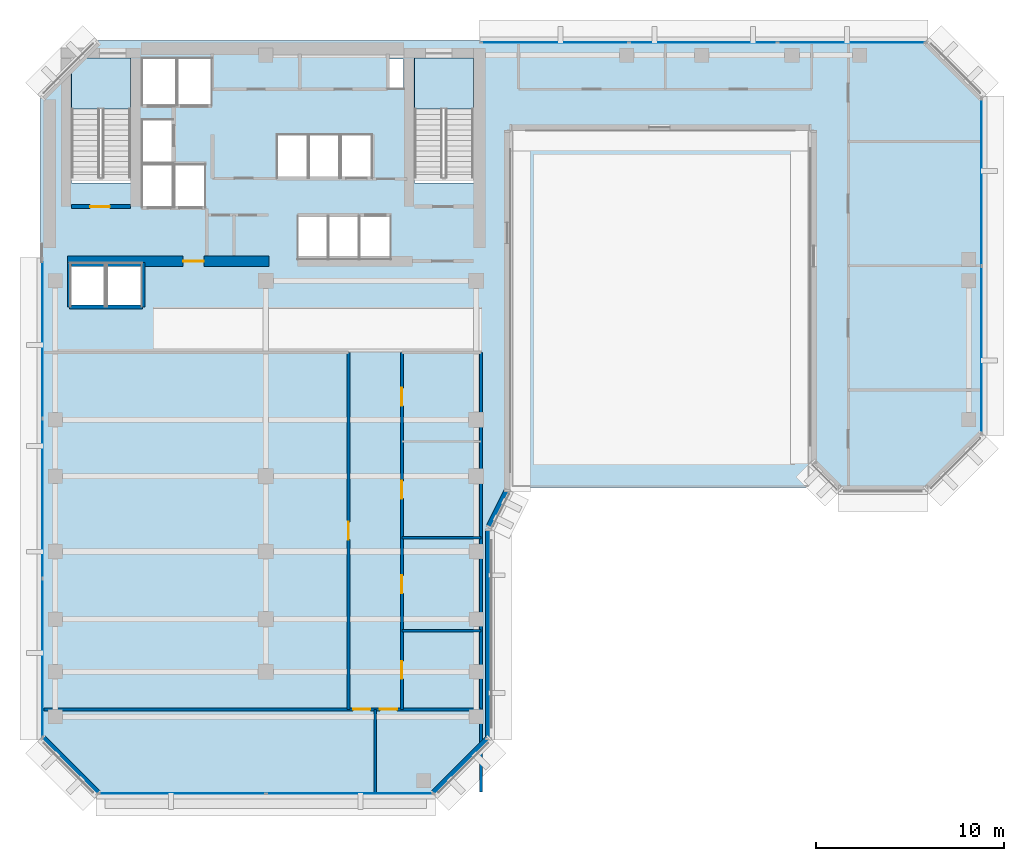
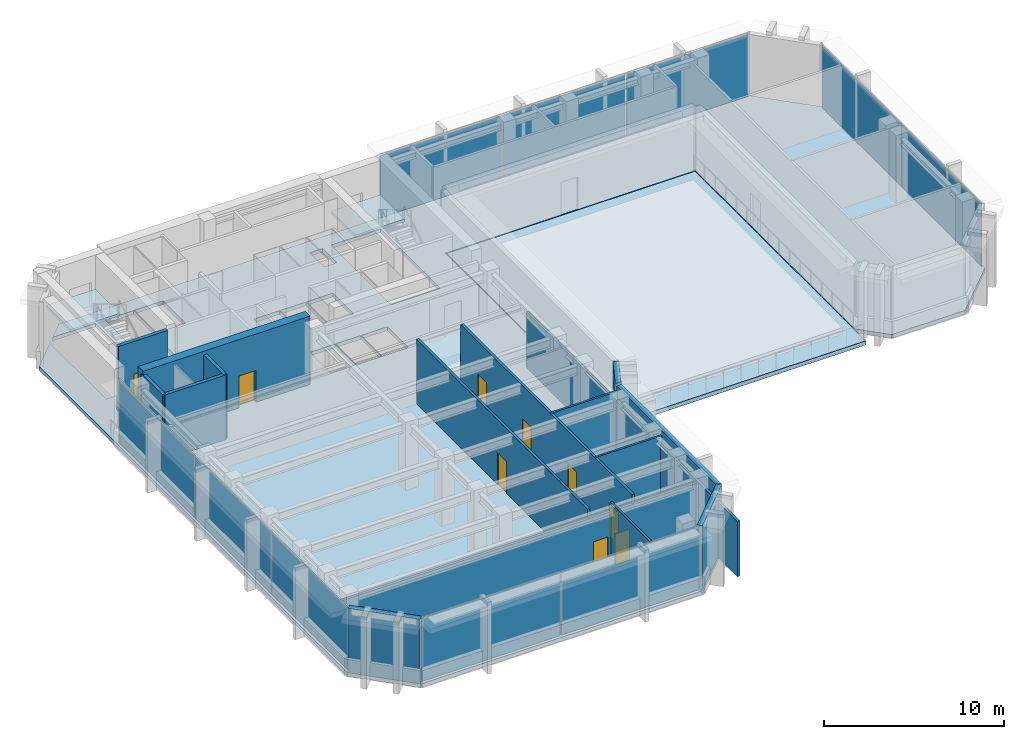
# One storey, part 6 of 12: 16 walls, 10 plates, 9 doors, 4 slabs, 9 openings, 6 elements without a shape of their own.
"""IFC4 building model written with IfcOpenShell, lengths in metres."""

from ifc_helpers import new_model, si_unit, direction, frame, frame_2d, origin, origin_2d, place, context, subcontext, project, spatial, polyline, rectangle, outline, extrude, material, layer, layer_set, type_object, element, fill, aggregate, save


model = new_model("IFC4")

# Units and contexts
model_context = context("Model", 3, precision=1e-05, world=origin(), true_north=direction((0.0, 1.0)))
body_context = subcontext(model_context, "Body", "Model", "MODEL_VIEW")
ifc_project = project(units=[si_unit("LENGTHUNIT", "METRE"), si_unit("AREAUNIT", "SQUARE_METRE"), si_unit("VOLUMEUNIT", "CUBIC_METRE"), si_unit("PLANEANGLEUNIT", "RADIAN"), si_unit("MASSUNIT", "GRAM", prefix="KILO")], contexts=[model_context])

# Site, building, storey
site_placement = place(None, origin())
site = spatial("IfcSite", under=ifc_project, at=site_placement, CompositionType="ELEMENT")
building_placement = place(site_placement, origin())
building = spatial("IfcBuilding", under=site, at=building_placement, Name="Kefirva Bronze Tower", CompositionType="ELEMENT")
storey_placement = place(building_placement, frame((0.0, 0.0, 215.159912109375)))
storey = spatial("IfcBuildingStorey", under=building, at=storey_placement, Name="L52", CompositionType="ELEMENT", Elevation=215.159912109375)

# Slab
ifc_material_1 = material(Name="Concrete C40/50", Category="concrete")
ifc_layer_1 = layer(ifc_material_1, 0.280029296875, Name="Concrete C40/50")
ifc_layer_set_1 = layer_set([ifc_layer_1], Name="Concrete C40/50")
slab_type_1 = type_object("IfcSlabType", Name="RC Setback Sky-Garden Terrace Slab 280mm", PredefinedType="ROOF", material=ifc_layer_set_1)
slab_1_placement = place(storey_placement, frame((0.0, 0.0, -0.280029296875)))
element("IfcSlab", 1, at=slab_1_placement, inside=storey, type_object=slab_type_1, Name="L52 Planted Sky-Garden Terrace Slab", PredefinedType="ROOF", context=body_context, shape_type="SweptSolid", body=[
    extrude(outline(polyline([(25.050048828125, 22.199951171875), (40.949951171875, 22.199951171875), (40.949951171875, 41.14990234375), (25.050048828125, 41.14990234375), (25.050048828125, 22.199951171875)])), origin(), (0.0, 0.0, 1.0), 0.280029296875),
])

# Stair, slab
stair_type = type_object("IfcStairType", Name="RC Dogleg Protected Stair 28R", PredefinedType="HALF_TURN_STAIR", material=ifc_material_1)
stair_1_placement = place(storey_placement, origin())
stair_1 = element("IfcStair", 2, at=stair_1_placement, inside=storey, type_object=stair_type, Name="L52 Protected Exit Stair 1", PredefinedType="HALF_TURN_STAIR")
ifc_layer_2 = layer(ifc_material_1, 0.199951171875, Name="Concrete C40/50")
ifc_layer_set_2 = layer_set([ifc_layer_2], Name="Concrete C40/50")
slab_type_2 = type_object("IfcSlabType", Name="RC Stair Landing Slab 200mm", PredefinedType="LANDING", material=ifc_layer_set_2)
slab_2_placement = place(storey_placement, frame((0.0, 0.0, 2.110107421875)))
slab_2 = element("IfcSlab", 3, at=slab_2_placement, type_object=slab_type_2, Name="ST-1 landing 1", PredefinedType="LANDING", context=body_context, shape_type="SweptSolid", body=[
    extrude(outline(polyline([(4.800048828125, 42.340087890625), (4.800048828125, 45.050048828125), (1.64990234375, 45.050048828125), (1.64990234375, 42.340087890625), (4.800048828125, 42.340087890625)])), origin(), (0.0, 0.0, 1.0), 0.199951171875),
])
aggregate(stair_1, [slab_2])

stair_2_placement = place(storey_placement, origin())
stair_2 = element("IfcStair", 4, at=stair_2_placement, inside=storey, type_object=stair_type, Name="L52 Protected Exit Stair 2", PredefinedType="HALF_TURN_STAIR")
slab_3_placement = place(storey_placement, frame((0.0, 0.0, 2.110107421875)))
slab_3 = element("IfcSlab", 5, at=slab_3_placement, type_object=slab_type_2, Name="ST-2 landing 1", PredefinedType="LANDING", context=body_context, shape_type="SweptSolid", body=[
    extrude(outline(polyline([(23.050048828125, 42.340087890625), (23.050048828125, 45.050048828125), (19.89990234375, 45.050048828125), (19.89990234375, 42.340087890625), (23.050048828125, 42.340087890625)])), origin(), (0.0, 0.0, 1.0), 0.199951171875),
])
aggregate(stair_2, [slab_3])

# Slab
ifc_layer_3 = layer(ifc_material_1, 0.25, Name="Concrete C40/50")
ifc_layer_set_3 = layer_set([ifc_layer_3], Name="Concrete C40/50")
slab_type_3 = type_object("IfcSlabType", Name="RC Tower Floor Slab 250mm", PredefinedType="FLOOR", material=ifc_layer_set_3)
slab_4_placement = place(storey_placement, frame((0.0, 0.0, -0.25)))
element("IfcSlab", 6, at=slab_4_placement, inside=storey, type_object=slab_type_3, Name="L52 Structural Floor Slab", PredefinedType="FLOOR", context=body_context, shape_type="SweptSolid", body=[
    extrude(outline(polyline([(0.0, 8.800048828125), (0.0, 43.0), (1.64990234375, 44.64990234375), (1.64990234375, 38.39990234375), (4.800048828125, 38.39990234375), (4.800048828125, 45.050048828125), (2.050048828125, 45.050048828125), (3.0, 46.0), (47.199951171875, 46.0), (50.199951171875, 43.0), (50.199951171875, 25.0), (47.199951171875, 22.0), (42.5, 22.0), (41.0, 23.5), (41.0, 41.199951171875), (25.0, 41.199951171875), (25.0, 22.0), (24.0, 20.0), (24.0, 8.800048828125), (21.0, 5.800048828125), (3.0, 5.800048828125), (0.0, 8.800048828125)]), holes=[polyline([(23.050048828125, 38.39990234375), (23.050048828125, 45.050048828125), (19.89990234375, 45.050048828125), (19.89990234375, 38.39990234375), (23.050048828125, 38.39990234375)]), polyline([(19.320068359375, 43.419921875), (19.320068359375, 45.0), (18.52001953125, 45.0), (18.52001953125, 43.419921875), (19.320068359375, 43.419921875)]), polyline([(18.64990234375, 34.35009765625), (18.64990234375, 36.64990234375), (17.0, 36.64990234375), (17.0, 34.35009765625), (18.64990234375, 34.35009765625)]), polyline([(17.64990234375, 38.679931640625), (17.64990234375, 40.97998046875), (16.0, 40.97998046875), (16.0, 38.679931640625), (17.64990234375, 38.679931640625)]), polyline([(16.949951171875, 34.35009765625), (16.949951171875, 36.64990234375), (15.35009765625, 36.64990234375), (15.35009765625, 34.35009765625), (16.949951171875, 34.35009765625)]), polyline([(15.929931640625, 38.679931640625), (15.929931640625, 40.97998046875), (14.300048828125, 40.97998046875), (14.300048828125, 38.679931640625), (15.929931640625, 38.679931640625)]), polyline([(15.300048828125, 34.35009765625), (15.300048828125, 36.64990234375), (13.699951171875, 36.64990234375), (13.699951171875, 34.35009765625), (15.300048828125, 34.35009765625)]), polyline([(14.22998046875, 38.679931640625), (14.22998046875, 40.97998046875), (12.60009765625, 40.97998046875), (12.60009765625, 38.679931640625), (14.22998046875, 38.679931640625)]), polyline([(9.1201171875, 42.550048828125), (9.1201171875, 45.050048828125), (7.300048828125, 45.050048828125), (7.300048828125, 42.550048828125), (9.1201171875, 42.550048828125)]), polyline([(8.780029296875, 37.10009765625), (8.780029296875, 39.39990234375), (7.139892578125, 39.39990234375), (7.139892578125, 37.10009765625), (8.780029296875, 37.10009765625)]), polyline([(7.239990234375, 42.550048828125), (7.239990234375, 45.050048828125), (5.419921875, 45.050048828125), (5.419921875, 42.550048828125), (7.239990234375, 42.550048828125)]), polyline([(7.06005859375, 37.10009765625), (7.06005859375, 39.39990234375), (5.419921875, 39.39990234375), (5.419921875, 37.10009765625), (7.06005859375, 37.10009765625)]), polyline([(7.06005859375, 39.47998046875), (7.06005859375, 41.780029296875), (5.419921875, 41.780029296875), (5.419921875, 39.47998046875), (7.06005859375, 39.47998046875)]), polyline([(5.39990234375, 31.85009765625), (5.39990234375, 34.14990234375), (3.550048828125, 34.14990234375), (3.550048828125, 31.85009765625), (5.39990234375, 31.85009765625)]), polyline([(3.449951171875, 31.85009765625), (3.449951171875, 34.14990234375), (1.60009765625, 34.14990234375), (1.60009765625, 31.85009765625), (3.449951171875, 31.85009765625)])]), origin(), (0.0, 0.0, 1.0), 0.25),
])

# Curtain wall, plates
ifc_material_2 = material(Name="Bronze anodised aluminium", Category="aluminium")
ifc_layer_4 = layer(ifc_material_2, 0.179931640625, Name="Bronze anodised aluminium")
ifc_layer_set_4 = layer_set([ifc_layer_4], Name="Bronze anodised aluminium")
curtain_wall_type = type_object("IfcCurtainWallType", Name="Unitised Bronze Ribbon Curtain Wall Zone 3", PredefinedType="USERDEFINED", material=ifc_layer_set_4)
curtain_wall_1_placement = place(storey_placement, origin())
curtain_wall_1 = element("IfcCurtainWall", 7, at=curtain_wall_1_placement, inside=storey, type_object=curtain_wall_type, Name="L52 Curtain Wall 1", ObjectType="UNITISED CURTAIN WALL", PredefinedType="USERDEFINED")
ifc_material_3 = material(Name="Laminated low-E double glazing", Category="glass")
ifc_layer_5 = layer(ifc_material_3, 0.031982421875, Name="Laminated low-E double glazing")
ifc_layer_set_5 = layer_set([ifc_layer_5], Name="Laminated low-E double glazing")
plate_type = type_object("IfcPlateType", Name="Solar-Control Low-E Vision Panel 32mm", PredefinedType="CURTAIN_PANEL", material=ifc_layer_set_5)
plate_1_placement = place(storey_placement, frame((7.546142578125, 5.919921875, 0.0751953125), z_axis=(0.0, 0.0, 1.0), x_axis=(1.0, 0.0, 0.0)))
plate_1 = element("IfcPlate", 8, at=plate_1_placement, type_object=plate_type, Name="CW-03 panel 1.1", PredefinedType="CURTAIN_PANEL", context=body_context, shape_type="SweptSolid", body=[
    extrude(rectangle(XDim=8.83251953125, YDim=0.031982421875, at=origin_2d()), origin(), (0.0, 0.0, 1.0), 4.219970703125),
])
plate_2_placement = place(storey_placement, frame((16.453857421875, 5.919921875, 0.0751953125), z_axis=(0.0, 0.0, 1.0), x_axis=(1.0, 0.0, 0.0)))
plate_2 = element("IfcPlate", 9, at=plate_2_placement, type_object=plate_type, Name="CW-03 panel 2.1", PredefinedType="CURTAIN_PANEL", context=body_context, shape_type="SweptSolid", body=[
    extrude(rectangle(XDim=8.83251953125, YDim=0.031982421875, at=origin_2d()), origin(), (0.0, 0.0, 1.0), 4.219970703125),
])
aggregate(curtain_wall_1, [plate_1, plate_2])

curtain_wall_2_placement = place(storey_placement, origin())
curtain_wall_2 = element("IfcCurtainWall", 10, at=curtain_wall_2_placement, inside=storey, type_object=curtain_wall_type, Name="L52 Curtain Wall 2", ObjectType="UNITISED CURTAIN WALL", PredefinedType="USERDEFINED")
plate_3_placement = place(storey_placement, frame((50.080078125, 29.546142578125, 0.0751953125), z_axis=(0.0, 0.0, 1.0), x_axis=(0.0, 1.0, 0.0)))
plate_3 = element("IfcPlate", 11, at=plate_3_placement, type_object=plate_type, Name="CW-03 panel 1.1", PredefinedType="CURTAIN_PANEL", context=body_context, shape_type="SweptSolid", body=[
    extrude(rectangle(XDim=8.83251953125, YDim=0.031982421875, at=origin_2d()), origin(), (0.0, 0.0, 1.0), 4.219970703125),
])
plate_4_placement = place(storey_placement, frame((50.080078125, 38.453857421875, 0.0751953125), z_axis=(0.0, 0.0, 1.0), x_axis=(0.0, 1.0, 0.0)))
plate_4 = element("IfcPlate", 12, at=plate_4_placement, type_object=plate_type, Name="CW-03 panel 2.1", PredefinedType="CURTAIN_PANEL", context=body_context, shape_type="SweptSolid", body=[
    extrude(rectangle(XDim=8.83251953125, YDim=0.031982421875, at=origin_2d()), origin(), (0.0, 0.0, 1.0), 4.219970703125),
])
aggregate(curtain_wall_2, [plate_3, plate_4])

curtain_wall_3_placement = place(storey_placement, origin())
curtain_wall_3 = element("IfcCurtainWall", 13, at=curtain_wall_3_placement, inside=storey, type_object=curtain_wall_type, Name="L52 Curtain Wall 3", ObjectType="UNITISED CURTAIN WALL", PredefinedType="USERDEFINED")
plate_5_placement = place(storey_placement, frame((43.169677734375, 45.8798828125, 0.0751953125), z_axis=(0.0, 0.0, 1.0), x_axis=(-1.0, 0.0, 0.0)))
plate_5 = element("IfcPlate", 14, at=plate_5_placement, type_object=plate_type, Name="CW-03 panel 1.1", PredefinedType="CURTAIN_PANEL", context=body_context, shape_type="SweptSolid", body=[
    extrude(rectangle(XDim=7.80078125, YDim=0.031982421875, at=origin_2d()), origin(), (0.0, 0.0, 1.0), 4.219970703125),
])
plate_6_placement = place(storey_placement, frame((35.27490234375, 45.8798828125, 0.0751953125), z_axis=(0.0, 0.0, 1.0), x_axis=(-1.0, 0.0, 0.0)))
plate_6 = element("IfcPlate", 15, at=plate_6_placement, type_object=plate_type, Name="CW-03 panel 2.1", PredefinedType="CURTAIN_PANEL", context=body_context, shape_type="SweptSolid", body=[
    extrude(rectangle(XDim=7.83837890625, YDim=0.031982421875, at=origin_2d()), origin(), (0.0, 0.0, 1.0), 4.219970703125),
])
plate_7_placement = place(storey_placement, frame((27.38037109375, 45.8798828125, 0.0751953125), z_axis=(0.0, 0.0, 1.0), x_axis=(-1.0, 0.0, 0.0)))
plate_7 = element("IfcPlate", 16, at=plate_7_placement, type_object=plate_type, Name="CW-03 panel 3.1", PredefinedType="CURTAIN_PANEL", context=body_context, shape_type="SweptSolid", body=[
    extrude(rectangle(XDim=7.80078125, YDim=0.031982421875, at=origin_2d()), origin(), (0.0, 0.0, 1.0), 4.219970703125),
])
aggregate(curtain_wall_3, [plate_5, plate_6, plate_7])

curtain_wall_4_placement = place(storey_placement, origin())
curtain_wall_4 = element("IfcCurtainWall", 17, at=curtain_wall_4_placement, inside=storey, type_object=curtain_wall_type, Name="L52 Curtain Wall 4", ObjectType="UNITISED CURTAIN WALL", PredefinedType="USERDEFINED")
plate_8_placement = place(storey_placement, frame((0.1201171875, 30.11962890625, 0.0751953125), z_axis=(0.0, 0.0, 1.0), x_axis=(0.0, -1.0, 0.0)))
plate_8 = element("IfcPlate", 18, at=plate_8_placement, type_object=plate_type, Name="CW-03 panel 1.1", PredefinedType="CURTAIN_PANEL", context=body_context, shape_type="SweptSolid", body=[
    extrude(rectangle(XDim=8.40087890625, YDim=0.031982421875, at=origin_2d()), origin(), (0.0, 0.0, 1.0), 4.219970703125),
])
plate_9_placement = place(storey_placement, frame((0.1201171875, 21.625, 0.0751953125), z_axis=(0.0, 0.0, 1.0), x_axis=(0.0, -1.0, 0.0)))
plate_9 = element("IfcPlate", 19, at=plate_9_placement, type_object=plate_type, Name="CW-03 panel 2.1", PredefinedType="CURTAIN_PANEL", context=body_context, shape_type="SweptSolid", body=[
    extrude(rectangle(XDim=8.438232421875, YDim=0.031982421875, at=origin_2d()), origin(), (0.0, 0.0, 1.0), 4.219970703125),
])
plate_10_placement = place(storey_placement, frame((0.1201171875, 13.13037109375, 0.0751953125), z_axis=(0.0, 0.0, 1.0), x_axis=(0.0, -1.0, 0.0)))
plate_10 = element("IfcPlate", 20, at=plate_10_placement, type_object=plate_type, Name="CW-03 panel 3.1", PredefinedType="CURTAIN_PANEL", context=body_context, shape_type="SweptSolid", body=[
    extrude(rectangle(XDim=8.40087890625, YDim=0.031982421875, at=origin_2d()), origin(), (0.0, 0.0, 1.0), 4.219970703125),
])
aggregate(curtain_wall_4, [plate_8, plate_9, plate_10])

# Walls
ifc_material_4 = material(Name="Gypsum acoustic partition")
ifc_layer_6 = layer(ifc_material_4, 0.1298828125, Name="Gypsum acoustic partition")
ifc_layer_set_6 = layer_set([ifc_layer_6], Name="Gypsum acoustic partition")
wall_type_1 = type_object("IfcWallType", Name="Acoustic Office Partition 130mm", PredefinedType="PARTITIONING", material=ifc_layer_set_6)
wall_1_placement = place(storey_placement, frame((17.820068359375, 5.989990234375, 0.0), z_axis=(0.0, 0.0, 1.0), x_axis=(0.0, 1.0, 0.0)))
element("IfcWall", 21, at=wall_1_placement, inside=storey, type_object=wall_type_1, Name="L52 Partition W-L52-CAPDV", PredefinedType="PARTITIONING", context=body_context, shape_type="SweptSolid", body=[
    extrude(rectangle(XDim=4.409912109375, YDim=0.1298828125, at=frame_2d((2.205078125, 0.0))), origin(), (0.0, 0.0, 1.0), 4.3701171875),
])
for number, where, z_axis, x_axis, name in (
    (22, (19.239990234375, 14.580078125, 0.0), (0.0, 0.0, 1.0), (1.0, 0.0, 0.0), "L52 Partition W-L52-SED1"),
    (23, (19.239990234375, 19.52001953125, 0.0), (0.0, 0.0, 1.0), (1.0, 0.0, 0.0), "L52 Partition W-L52-SED2"),
):
    element("IfcWall", number, at=place(storey_placement, frame(where, z_axis=z_axis, x_axis=x_axis)), inside=storey, type_object=wall_type_1, Name=name, PredefinedType="PARTITIONING", context=body_context, shape_type="SweptSolid", body=[
        extrude(rectangle(XDim=4.2099609375, YDim=0.1298828125, at=frame_2d((2.10498046875, 0.0))), origin(), (0.0, 0.0, 1.0), 4.3701171875),
    ])

# Wall, opening, door
ifc_material_5 = material(Name="Gypsum fireboard shaftwall")
ifc_layer_7 = layer(ifc_material_5, 0.219970703125, Name="Gypsum fireboard shaftwall")
ifc_layer_set_7 = layer_set([ifc_layer_7], Name="Gypsum fireboard shaftwall")
wall_type_2 = type_object("IfcWallType", Name="Fire-Rated Shaft Enclosure Wall 220mm", PredefinedType="PARTITIONING", material=ifc_layer_set_7)
wall_2_placement = place(storey_placement, frame((1.64990234375, 37.14990234375, 0.0), z_axis=(0.0, 0.0, 1.0), x_axis=(1.0, 0.0, 0.0)))
wall_2 = element("IfcWall", 24, at=wall_2_placement, inside=storey, type_object=wall_type_2, Name="L52 Partition W-L52-ST1S", PredefinedType="PARTITIONING", context=body_context, shape_type="SweptSolid", body=[
    extrude(rectangle(XDim=3.150146484375, YDim=0.219970703125, at=frame_2d((1.5751953125, 0.0))), origin(), (0.0, 0.0, 1.0), 4.3701171875),
])
opening_1_placement = place(wall_2_placement, frame((2.050048828125, 0.0, 0.0), z_axis=(0.0, 0.0, 1.0), x_axis=(-1.0, 0.0, 0.0)))
opening_1 = element("IfcOpeningElement", 25, at=opening_1_placement, cuts=wall_2, Name="Opening L52-D001", PredefinedType="OPENING", context=body_context, shape_type="SweptSolid", body=[
    extrude(rectangle(XDim=1.050048828125, YDim=2.14990234375, at=frame_2d((0.52490234375, 1.074951171875))), frame((0.0, 0.1201171875, 0.0), z_axis=(0.0, -1.0, 0.0), x_axis=(1.0, 0.0, 0.0)), (0.0, 0.0, 1.0), 0.239990234375),
])
ifc_material_6 = material(Name="Painted galvanized steel", Category="steel")
door_type_1 = type_object("IfcDoorType", Name="Fire Stair Enclosure Door 1050x2150 FD90S", OperationType="NOTDEFINED", PredefinedType="DOOR", material=ifc_material_6)
door_1_placement = place(opening_1_placement, origin())
door_1 = element("IfcDoor", 26, at=door_1_placement, inside=storey, type_object=door_type_1, Name="Door L52-D001", OperationType="SINGLE_SWING_RIGHT", OverallHeight=2.14990234375, OverallWidth=1.050048828125, PredefinedType="DOOR", context=body_context, shape_type="SweptSolid", body=[
    extrude(rectangle(XDim=1.050048828125, YDim=2.14990234375, at=frame_2d((0.52490234375, 1.074951171875))), frame((0.0, 0.02490234375, 0.0), z_axis=(0.0, -1.0, 0.0), x_axis=(1.0, 0.0, 0.0)), (0.0, 0.0, 1.0), 0.050048828125),
])
fill(opening_1, door_1)

# Walls
wall_3_placement = place(storey_placement, frame((1.550048828125, 31.800048828125, 0.0), z_axis=(0.0, 0.0, 1.0), x_axis=(1.0, 0.0, 0.0)))
element("IfcWall", 27, at=wall_3_placement, inside=storey, type_object=wall_type_2, Name="L52 Partition W-L52-OBS", PredefinedType="PARTITIONING", context=body_context, shape_type="SweptSolid", body=[
    extrude(rectangle(XDim=3.89990234375, YDim=0.219970703125, at=frame_2d((1.949951171875, 0.0))), origin(), (0.0, 0.0, 1.0), 4.3701171875),
])
for number, where, z_axis, x_axis, name in (
    (28, (1.550048828125, 31.800048828125, 0.0), (0.0, 0.0, 1.0), (0.0, 1.0, 0.0), "L52 Partition W-L52-OBW"),
    (29, (5.449951171875, 31.800048828125, 0.0), (0.0, 0.0, 1.0), (0.0, 1.0, 0.0), "L52 Partition W-L52-OBE"),
):
    element("IfcWall", number, at=place(storey_placement, frame(where, z_axis=z_axis, x_axis=x_axis)), inside=storey, type_object=wall_type_2, Name=name, PredefinedType="PARTITIONING", context=body_context, shape_type="SweptSolid", body=[
        extrude(rectangle(XDim=2.3798828125, YDim=0.219970703125, at=frame_2d((1.18994140625, 0.0))), origin(), (0.0, 0.0, 1.0), 4.3701171875),
    ])
ifc_material_7 = material(Name="Precast concrete C40/50", Category="concrete")
ifc_layer_8 = layer(ifc_material_7, 0.320068359375, Name="Precast concrete C40/50")
ifc_layer_set_8 = layer_set([ifc_layer_8], Name="Precast concrete C40/50")
wall_type_3 = type_object("IfcWallType", Name="Precast Insulated Exterior Wall 320mm", PredefinedType="SOLIDWALL", material=ifc_layer_set_8)
wall_4_placement = place(storey_placement, frame((20.92578125, 5.951904296875, 0.0), z_axis=(0.0, 0.0, 1.0), x_axis=(0.707077242712, 0.707136318428, 0.0)))
element("IfcWall", 30, at=wall_4_placement, inside=storey, type_object=wall_type_3, Name="L52 Exterior Facade Wall 1", PredefinedType="SOLIDWALL", context=body_context, shape_type="SweptSolid", body=[
    extrude(rectangle(XDim=4.132568359375, YDim=0.320068359375, at=frame_2d((2.06640625, 0.0))), origin(), (0.0, 0.0, 1.0), 4.3701171875),
])
wall_5_placement = place(storey_placement, frame((23.840087890625, 8.85498046875, 0.0), z_axis=(0.0, 0.0, 1.0), x_axis=(0.0, 1.0, 0.0)))
element("IfcWall", 31, at=wall_5_placement, inside=storey, type_object=wall_type_3, Name="L52 Exterior Facade Wall 2", PredefinedType="SOLIDWALL", context=body_context, shape_type="SweptSolid", body=[
    extrude(rectangle(XDim=11.090087890625, YDim=0.320068359375, at=frame_2d((5.544921875, 0.0))), origin(), (0.0, 0.0, 1.0), 4.3701171875),
])
wall_6_placement = place(storey_placement, frame((23.881591796875, 20.12060546875, 0.0), z_axis=(0.0, 0.0, 1.0), x_axis=(0.447121734542, 0.894473115583, 0.0)))
element("IfcWall", 32, at=wall_6_placement, inside=storey, type_object=wall_type_3, Name="L52 Exterior Facade Wall 3", PredefinedType="SOLIDWALL", context=body_context, shape_type="SweptSolid", body=[
    extrude(rectangle(XDim=2.126220703125, YDim=0.320068359375, at=frame_2d((1.06298828125, 0.0))), origin(), (0.0, 0.0, 1.0), 4.3701171875),
])
wall_7_placement = place(storey_placement, frame((0.152099609375, 8.874267578125, 0.0), z_axis=(0.0, 0.0, 1.0), x_axis=(0.707077242712, -0.707136318428, 0.0)))
element("IfcWall", 33, at=wall_7_placement, inside=storey, type_object=wall_type_3, Name="L52 Exterior Facade Wall 12", PredefinedType="SOLIDWALL", context=body_context, shape_type="SweptSolid", body=[
    extrude(rectangle(XDim=4.132568359375, YDim=0.320068359375, at=frame_2d((2.06640625, 0.0))), origin(), (0.0, 0.0, 1.0), 4.3701171875),
])

# Wall, opening, door
ifc_layer_9 = layer(ifc_material_4, 0.159912109375, Name="Gypsum acoustic partition")
ifc_layer_set_9 = layer_set([ifc_layer_9], Name="Gypsum acoustic partition")
wall_type_4 = type_object("IfcWallType", Name="Protected Corridor Partition 160mm", PredefinedType="PARTITIONING", material=ifc_layer_set_9)
wall_8_placement = place(storey_placement, frame((16.39990234375, 10.39990234375, 0.0), z_axis=(0.0, 0.0, 1.0), x_axis=(0.0, 1.0, 0.0)))
wall_8 = element("IfcWall", 34, at=wall_8_placement, inside=storey, type_object=wall_type_4, Name="L52 Partition W-L52-SWCORW", PredefinedType="PARTITIONING", context=body_context, shape_type="SweptSolid", body=[
    extrude(rectangle(XDim=19.0, YDim=0.159912109375, at=frame_2d((9.5, 0.0))), origin(), (0.0, 0.0, 1.0), 4.3701171875),
])
opening_2_placement = place(wall_8_placement, frame((9.974853515625, 0.0, 0.0), z_axis=(0.0, 0.0, 1.0), x_axis=(-1.0, 0.0, 0.0)))
opening_2 = element("IfcOpeningElement", 35, at=opening_2_placement, cuts=wall_8, Name="Opening L52-D-SW1", PredefinedType="OPENING", context=body_context, shape_type="SweptSolid", body=[
    extrude(rectangle(XDim=0.949951171875, YDim=2.14990234375, at=frame_2d((0.47509765625, 1.074951171875))), frame((0.0, 0.08984375, 0.0), z_axis=(0.0, -1.0, 0.0), x_axis=(1.0, 0.0, 0.0)), (0.0, 0.0, 1.0), 0.179931640625),
])
ifc_material_8 = material(Name="Acoustic hardwood oak", Category="wood")
door_type_2 = type_object("IfcDoorType", Name="Office & Meeting Room Door 950x2150", OperationType="NOTDEFINED", PredefinedType="DOOR", material=ifc_material_8)
door_2_placement = place(opening_2_placement, origin())
door_2 = element("IfcDoor", 36, at=door_2_placement, inside=storey, type_object=door_type_2, Name="Door L52-D-SW1", OperationType="SINGLE_SWING_RIGHT", OverallHeight=2.14990234375, OverallWidth=0.949951171875, PredefinedType="DOOR", context=body_context, shape_type="SweptSolid", body=[
    extrude(rectangle(XDim=0.949951171875, YDim=2.14990234375, at=frame_2d((0.47509765625, 1.074951171875))), frame((0.0, 0.02490234375, 0.0), z_axis=(0.0, -1.0, 0.0), x_axis=(1.0, 0.0, 0.0)), (0.0, 0.0, 1.0), 0.050048828125),
])
fill(opening_2, door_2)

# Wall, openings, doors
wall_9_placement = place(storey_placement, frame((19.239990234375, 10.39990234375, 0.0), z_axis=(0.0, 0.0, 1.0), x_axis=(0.0, 1.0, 0.0)))
wall_9 = element("IfcWall", 37, at=wall_9_placement, inside=storey, type_object=wall_type_4, Name="L52 Partition W-L52-SECORE", PredefinedType="PARTITIONING", context=body_context, shape_type="SweptSolid", body=[
    extrude(rectangle(XDim=19.0, YDim=0.159912109375, at=frame_2d((9.5, 0.0))), origin(), (0.0, 0.0, 1.0), 4.3701171875),
])
opening_3_placement = place(wall_9_placement, frame((1.614990234375, 0.0, 0.0)))
opening_3 = element("IfcOpeningElement", 38, at=opening_3_placement, cuts=wall_9, Name="Opening L52-D-SE1", PredefinedType="OPENING", context=body_context, shape_type="SweptSolid", body=[
    extrude(rectangle(XDim=0.949951171875, YDim=2.14990234375, at=frame_2d((0.47509765625, 1.074951171875))), frame((0.0, 0.08984375, 0.0), z_axis=(0.0, -1.0, 0.0), x_axis=(1.0, 0.0, 0.0)), (0.0, 0.0, 1.0), 0.179931640625),
])
opening_4_placement = place(wall_9_placement, frame((6.175048828125, 0.0, 0.0)))
opening_4 = element("IfcOpeningElement", 39, at=opening_4_placement, cuts=wall_9, Name="Opening L52-D-SE2", PredefinedType="OPENING", context=body_context, shape_type="SweptSolid", body=[
    extrude(rectangle(XDim=0.949951171875, YDim=2.14990234375, at=frame_2d((0.47509765625, 1.074951171875))), frame((0.0, 0.08984375, 0.0), z_axis=(0.0, -1.0, 0.0), x_axis=(1.0, 0.0, 0.0)), (0.0, 0.0, 1.0), 0.179931640625),
])
opening_5_placement = place(wall_9_placement, frame((11.2099609375, 0.0, 0.0)))
opening_5 = element("IfcOpeningElement", 40, at=opening_5_placement, cuts=wall_9, Name="Opening L52-D-SE3", PredefinedType="OPENING", context=body_context, shape_type="SweptSolid", body=[
    extrude(rectangle(XDim=0.949951171875, YDim=2.14990234375, at=frame_2d((0.47509765625, 1.074951171875))), frame((0.0, 0.08984375, 0.0), z_axis=(0.0, -1.0, 0.0), x_axis=(1.0, 0.0, 0.0)), (0.0, 0.0, 1.0), 0.179931640625),
])
opening_6_placement = place(wall_9_placement, frame((16.14990234375, 0.0, 0.0)))
opening_6 = element("IfcOpeningElement", 41, at=opening_6_placement, cuts=wall_9, Name="Opening L52-D-SE4", PredefinedType="OPENING", context=body_context, shape_type="SweptSolid", body=[
    extrude(rectangle(XDim=0.949951171875, YDim=2.14990234375, at=frame_2d((0.47509765625, 1.074951171875))), frame((0.0, 0.08984375, 0.0), z_axis=(0.0, -1.0, 0.0), x_axis=(1.0, 0.0, 0.0)), (0.0, 0.0, 1.0), 0.179931640625),
])
door_3_placement = place(opening_3_placement, origin())
door_3 = element("IfcDoor", 42, at=door_3_placement, inside=storey, type_object=door_type_2, Name="Door L52-D-SE1", OperationType="SINGLE_SWING_LEFT", OverallHeight=2.14990234375, OverallWidth=0.949951171875, PredefinedType="DOOR", context=body_context, shape_type="SweptSolid", body=[
    extrude(rectangle(XDim=0.949951171875, YDim=2.14990234375, at=frame_2d((0.47509765625, 1.074951171875))), frame((0.0, 0.02490234375, 0.0), z_axis=(0.0, -1.0, 0.0), x_axis=(1.0, 0.0, 0.0)), (0.0, 0.0, 1.0), 0.050048828125),
])
fill(opening_3, door_3)
door_4_placement = place(opening_4_placement, origin())
door_4 = element("IfcDoor", 43, at=door_4_placement, inside=storey, type_object=door_type_2, Name="Door L52-D-SE2", OperationType="SINGLE_SWING_RIGHT", OverallHeight=2.14990234375, OverallWidth=0.949951171875, PredefinedType="DOOR", context=body_context, shape_type="SweptSolid", body=[
    extrude(rectangle(XDim=0.949951171875, YDim=2.14990234375, at=frame_2d((0.47509765625, 1.074951171875))), frame((0.0, 0.02490234375, 0.0), z_axis=(0.0, -1.0, 0.0), x_axis=(1.0, 0.0, 0.0)), (0.0, 0.0, 1.0), 0.050048828125),
])
fill(opening_4, door_4)
door_5_placement = place(opening_5_placement, origin())
door_5 = element("IfcDoor", 44, at=door_5_placement, inside=storey, type_object=door_type_2, Name="Door L52-D-SE3", OperationType="SINGLE_SWING_LEFT", OverallHeight=2.14990234375, OverallWidth=0.949951171875, PredefinedType="DOOR", context=body_context, shape_type="SweptSolid", body=[
    extrude(rectangle(XDim=0.949951171875, YDim=2.14990234375, at=frame_2d((0.47509765625, 1.074951171875))), frame((0.0, 0.02490234375, 0.0), z_axis=(0.0, -1.0, 0.0), x_axis=(1.0, 0.0, 0.0)), (0.0, 0.0, 1.0), 0.050048828125),
])
fill(opening_5, door_5)
door_6_placement = place(opening_6_placement, origin())
door_6 = element("IfcDoor", 45, at=door_6_placement, inside=storey, type_object=door_type_2, Name="Door L52-D-SE4", OperationType="SINGLE_SWING_RIGHT", OverallHeight=2.14990234375, OverallWidth=0.949951171875, PredefinedType="DOOR", context=body_context, shape_type="SweptSolid", body=[
    extrude(rectangle(XDim=0.949951171875, YDim=2.14990234375, at=frame_2d((0.47509765625, 1.074951171875))), frame((0.0, 0.02490234375, 0.0), z_axis=(0.0, -1.0, 0.0), x_axis=(1.0, 0.0, 0.0)), (0.0, 0.0, 1.0), 0.050048828125),
])
fill(opening_6, door_6)

wall_10_placement = place(storey_placement, frame((0.18994140625, 10.39990234375, 0.0), z_axis=(0.0, 0.0, 1.0), x_axis=(1.0, 0.0, 0.0)))
wall_10 = element("IfcWall", 46, at=wall_10_placement, inside=storey, type_object=wall_type_4, Name="L52 Partition W-L52-SBEND", PredefinedType="PARTITIONING", context=body_context, shape_type="SweptSolid", body=[
    extrude(rectangle(XDim=23.260009765625, YDim=0.159912109375, at=frame_2d((11.6298828125, 0.0))), origin(), (0.0, 0.0, 1.0), 3.755126953125),
])
opening_7_placement = place(wall_10_placement, frame((16.4599609375, 0.0, 0.0)))
opening_7 = element("IfcOpeningElement", 47, at=opening_7_placement, cuts=wall_10, Name="Opening L52-D-SEND1", PredefinedType="OPENING", context=body_context, shape_type="SweptSolid", body=[
    extrude(rectangle(XDim=0.919921875, YDim=2.10009765625, at=frame_2d((0.4599609375, 1.050048828125))), frame((0.0, 0.08984375, 0.0), z_axis=(0.0, -1.0, 0.0), x_axis=(1.0, 0.0, 0.0)), (0.0, 0.0, 1.0), 0.179931640625),
])
opening_8_placement = place(wall_10_placement, frame((17.8798828125, 0.0, 0.0)))
opening_8 = element("IfcOpeningElement", 48, at=opening_8_placement, cuts=wall_10, Name="Opening L52-D-SEND2", PredefinedType="OPENING", context=body_context, shape_type="SweptSolid", body=[
    extrude(rectangle(XDim=0.919921875, YDim=2.10009765625, at=frame_2d((0.4599609375, 1.050048828125))), frame((0.0, 0.08984375, 0.0), z_axis=(0.0, -1.0, 0.0), x_axis=(1.0, 0.0, 0.0)), (0.0, 0.0, 1.0), 0.179931640625),
])
ifc_material_9 = material(Name="Moisture-resistant timber", Category="wood")
door_type_3 = type_object("IfcDoorType", Name="Accessible Sanitary & WC Door 920x2100", OperationType="NOTDEFINED", PredefinedType="DOOR", material=ifc_material_9)
door_7_placement = place(opening_7_placement, origin())
door_7 = element("IfcDoor", 49, at=door_7_placement, inside=storey, type_object=door_type_3, Name="Door L52-D-SEND1", OperationType="SINGLE_SWING_RIGHT", OverallHeight=2.10009765625, OverallWidth=0.919921875, PredefinedType="DOOR", context=body_context, shape_type="SweptSolid", body=[
    extrude(rectangle(XDim=0.919921875, YDim=2.10009765625, at=frame_2d((0.4599609375, 1.050048828125))), frame((0.0, 0.02490234375, 0.0), z_axis=(0.0, -1.0, 0.0), x_axis=(1.0, 0.0, 0.0)), (0.0, 0.0, 1.0), 0.050048828125),
])
fill(opening_7, door_7)
door_8_placement = place(opening_8_placement, origin())
door_8 = element("IfcDoor", 50, at=door_8_placement, inside=storey, type_object=door_type_3, Name="Door L52-D-SEND2", OperationType="SINGLE_SWING_LEFT", OverallHeight=2.10009765625, OverallWidth=0.919921875, PredefinedType="DOOR", context=body_context, shape_type="SweptSolid", body=[
    extrude(rectangle(XDim=0.919921875, YDim=2.10009765625, at=frame_2d((0.4599609375, 1.050048828125))), frame((0.0, 0.02490234375, 0.0), z_axis=(0.0, -1.0, 0.0), x_axis=(1.0, 0.0, 0.0)), (0.0, 0.0, 1.0), 0.050048828125),
])
fill(opening_8, door_8)

# Wall
wall_11_placement = place(storey_placement, frame((23.449951171875, 5.989990234375, 0.0), z_axis=(0.0, 0.0, 1.0), x_axis=(0.0, 1.0, 0.0)))
element("IfcWall", 51, at=wall_11_placement, inside=storey, type_object=wall_type_4, Name="L52 Partition W-L52-SWEAST", PredefinedType="PARTITIONING", context=body_context, shape_type="SweptSolid", body=[
    extrude(rectangle(XDim=23.409912109375, YDim=0.159912109375, at=frame_2d((11.705078125, 0.0))), origin(), (0.0, 0.0, 1.0), 3.755126953125),
])

# Wall, opening, door
ifc_material_10 = material(Name="Concrete C50/60", Category="concrete")
ifc_layer_10 = layer(ifc_material_10, 0.64990234375, Name="Concrete C50/60")
ifc_layer_set_10 = layer_set([ifc_layer_10], Name="Concrete C50/60")
wall_type_5 = type_object("IfcWallType", Name="RC Rear Core Interior Wall 650mm", PredefinedType="SHEAR", material=ifc_layer_set_10)
wall_12_placement = place(storey_placement, frame((1.449951171875, 34.25, 0.0), z_axis=(0.0, 0.0, 1.0), x_axis=(1.0, 0.0, 0.0)))
wall_12 = element("IfcWall", 52, at=wall_12_placement, inside=storey, type_object=wall_type_5, Name="L52 Rear Core South-West Shear Wall", PredefinedType="SHEAR", context=body_context, shape_type="SweptSolid", body=[
    extrude(rectangle(XDim=10.7099609375, YDim=0.550048828125, at=frame_2d((5.35498046875, 0.0))), origin(), (0.0, 0.0, 1.0), 4.6201171875),
])
opening_9_placement = place(wall_12_placement, frame((7.25, 0.0, 0.0), z_axis=(0.0, 0.0, 1.0), x_axis=(-1.0, 0.0, 0.0)))
opening_9 = element("IfcOpeningElement", 53, at=opening_9_placement, cuts=wall_12, Name="Opening L52-D002", PredefinedType="OPENING", context=body_context, shape_type="SweptSolid", body=[
    extrude(rectangle(XDim=1.10009765625, YDim=2.14990234375, at=frame_2d((0.550048828125, 1.074951171875))), frame((0.0, 0.28515625, 0.0), z_axis=(0.0, -1.0, 0.0), x_axis=(1.0, 0.0, 0.0)), (0.0, 0.0, 1.0), 0.570068359375),
])
door_type_4 = type_object("IfcDoorType", Name="Firefighting Lobby Smoke Door 1100x2150 FD60S", OperationType="NOTDEFINED", PredefinedType="DOOR", material=ifc_material_6)
door_9_placement = place(opening_9_placement, origin())
door_9 = element("IfcDoor", 54, at=door_9_placement, inside=storey, type_object=door_type_4, Name="Door L52-D002", OperationType="SINGLE_SWING_LEFT", OverallHeight=2.14990234375, OverallWidth=1.10009765625, PredefinedType="DOOR", context=body_context, shape_type="SweptSolid", body=[
    extrude(rectangle(XDim=1.10009765625, YDim=2.14990234375, at=frame_2d((0.550048828125, 1.074951171875))), frame((0.0, 0.02490234375, 0.0), z_axis=(0.0, -1.0, 0.0), x_axis=(1.0, 0.0, 0.0)), (0.0, 0.0, 1.0), 0.050048828125),
])
fill(opening_9, door_9)

save(model, "model.ifc")
